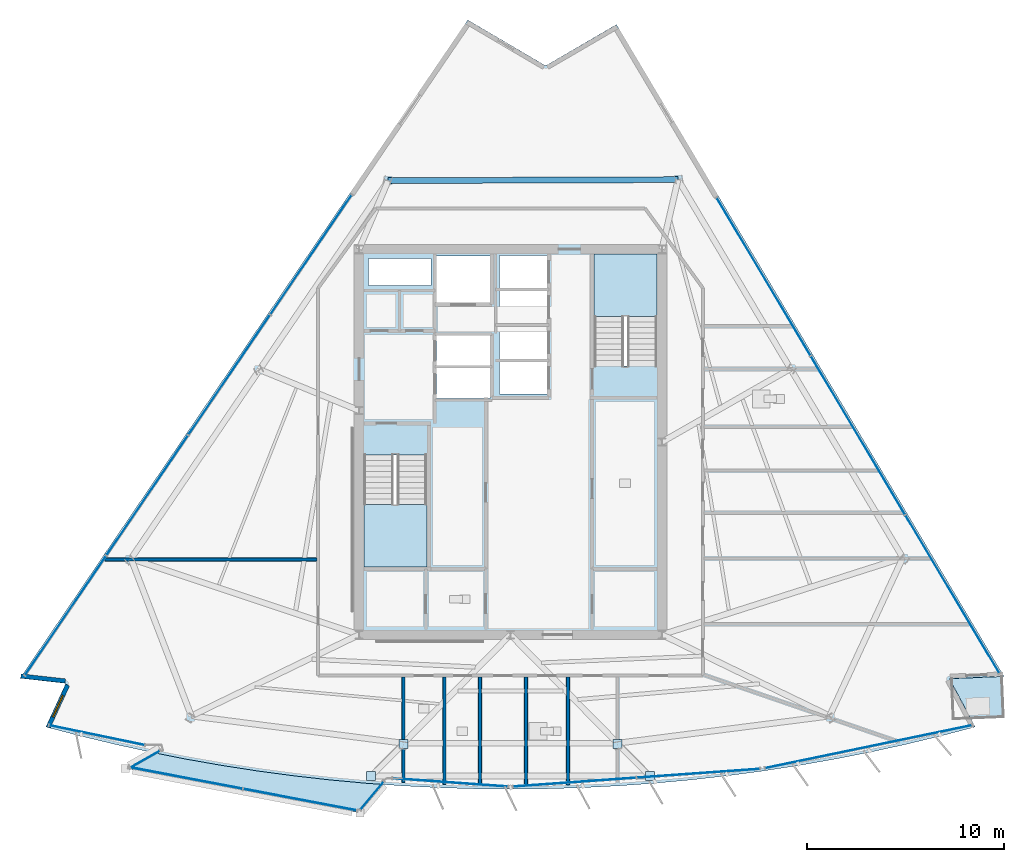
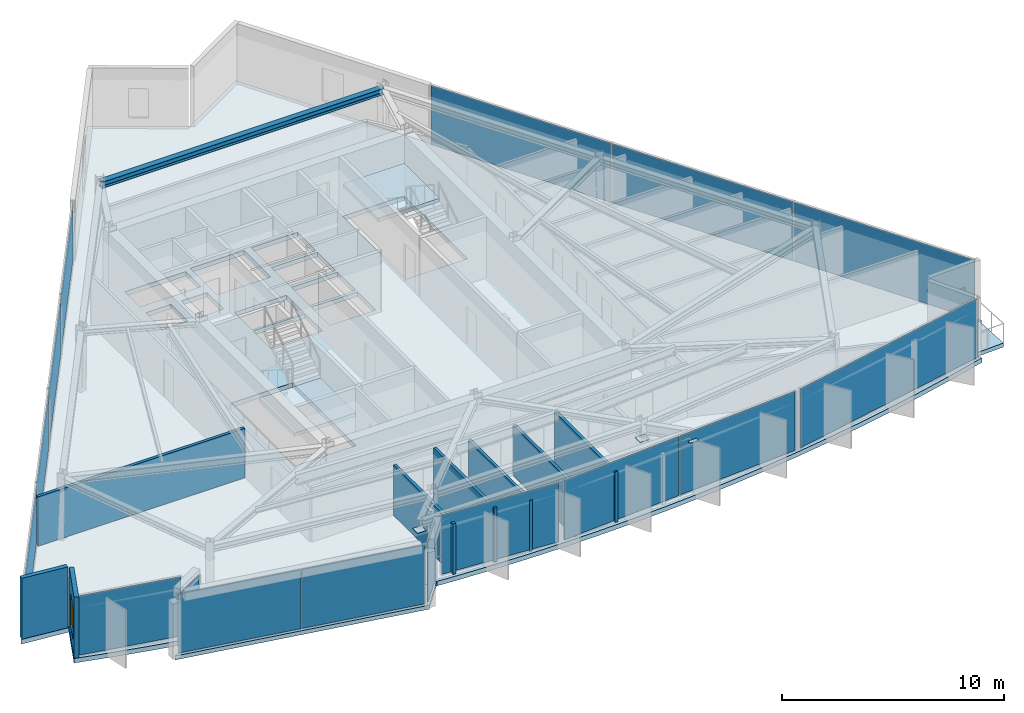
# One storey, part 6 of 14: 20 plates, 8 walls, 5 slabs, 1 beam, 1 window, 1 opening, 11 elements without a shape of their own.
"""IFC4 building model written with IfcOpenShell, lengths in metres."""

from ifc_helpers import new_model, si_unit, direction, frame, frame_2d, origin, origin_2d, place, context, subcontext, project, spatial, polyline, rectangle, i_section, outline, extrude, material, layer, layer_set, material_profile, profile_set, type_object, element, fill, aggregate, save


model = new_model("IFC4")

# Units and contexts
model_context = context("Model", 3, precision=1e-05, world=origin(), true_north=direction((0.0, 1.0)))
body_context = subcontext(model_context, "Body", "Model", "MODEL_VIEW")
ifc_project = project(units=[si_unit("LENGTHUNIT", "METRE"), si_unit("AREAUNIT", "SQUARE_METRE"), si_unit("VOLUMEUNIT", "CUBIC_METRE"), si_unit("PLANEANGLEUNIT", "RADIAN"), si_unit("MASSUNIT", "GRAM", prefix="KILO")], contexts=[model_context])

# Site, building, storey
site_placement = place(None, origin())
site = spatial("IfcSite", under=ifc_project, at=site_placement, CompositionType="ELEMENT")
building_placement = place(site_placement, origin())
building = spatial("IfcBuilding", under=site, at=building_placement, Name="Savorim Split Tower", CompositionType="ELEMENT")
storey_placement = place(building_placement, frame((0.0, 0.0, 230.699951171875)))
storey = spatial("IfcBuildingStorey", under=building, at=storey_placement, Name="L61", CompositionType="ELEMENT", Elevation=230.699951171875)

# Beam
ifc_material_1 = material(Name="Steel S355", Category="steel")
ifc_material_profile = material_profile(ifc_material_1, i_section(OverallWidth=0.300048828125, OverallDepth=0.35009765625, WebThickness=0.010009765625, FlangeThickness=0.017578125, FilletRadius=0.027099609375, at=origin_2d()), Name="HEA 360")
ifc_profile_set = profile_set([ifc_material_profile], Name="Steel S355")
beam_type = type_object("IfcBeamType", Name="BM-SPN-HEA360", PredefinedType="SPANDREL", material=ifc_profile_set)
beam_placement = place(storey_placement, frame((8.519287109375, 13.73779296875, 3.175048828125), z_axis=(-0.999994510925, -0.003313324644, 0.0), x_axis=(0.003313324644, -0.999994510925, 0.0)))
element("IfcBeam", 1, at=beam_placement, inside=storey, type_object=beam_type, Name="L61 Perimeter Spandrel Beam 7", PredefinedType="SPANDREL", context=body_context, shape_type="SweptSolid", body=[
    extrude(i_section(OverallWidth=0.300048828125, OverallDepth=0.35009765625, WebThickness=0.010009765625, FlangeThickness=0.017578125, FilletRadius=0.027099609375, at=origin_2d()), origin(), (0.0, 0.0, 1.0), 14.73681640625),
])

# Curtain wall, plate
ifc_material_2 = material(Name="Dark Ceramic-Fritted Insulated Glass", Category="glass")
curtain_wall_type_1 = type_object("IfcCurtainWallType", Name="CW-TWR-FRIT-B", PredefinedType="NOTDEFINED", material=ifc_material_2)
curtain_wall_1_placement = place(storey_placement, origin())
curtain_wall_1 = element("IfcCurtainWall", 2, at=curtain_wall_1_placement, inside=storey, type_object=curtain_wall_type_1, Name="L61 Curtain Wall CW-L61-SF1A", PredefinedType="NOTDEFINED")
ifc_layer_1 = layer(ifc_material_2, 0.02587890625)
ifc_layer_set_1 = layer_set([ifc_layer_1], Name="CWP-FRITB-26")
plate_type_1 = type_object("IfcPlateType", Name="CWP-FRITB-26", PredefinedType="CURTAIN_PANEL", material=ifc_layer_set_1)
plate_1_placement = place(storey_placement, frame((-21.02978515625, -14.508056640625, 0.050048828125), z_axis=(0.0, 0.0, 1.0), x_axis=(0.979134728016, -0.203212165958, 0.0)))
plate_1 = element("IfcPlate", 3, at=plate_1_placement, type_object=plate_type_1, Name="CW-03 panel 1.1", PredefinedType="CURTAIN_PANEL", context=body_context, shape_type="SweptSolid", body=[
    extrude(rectangle(XDim=4.938720703125, YDim=0.02587890625, at=origin_2d()), origin(), (0.0, 0.0, 1.0), 3.25),
])
aggregate(curtain_wall_1, [plate_1])

curtain_wall_2_placement = place(storey_placement, origin())
curtain_wall_2 = element("IfcCurtainWall", 4, at=curtain_wall_2_placement, inside=storey, type_object=curtain_wall_type_1, Name="L61 Curtain Wall CW-L61-SF2A", PredefinedType="NOTDEFINED")
plate_2_placement = place(storey_placement, frame((-3.0654296875, -16.91259765625, 0.050048828125), z_axis=(0.0, 0.0, 1.0), x_axis=(0.997435751346, -0.071567603964, 0.0)))
plate_2 = element("IfcPlate", 5, at=plate_2_placement, type_object=plate_type_1, Name="CW-03 panel 1.1", PredefinedType="CURTAIN_PANEL", context=body_context, shape_type="SweptSolid", body=[
    extrude(rectangle(XDim=5.843505859375, YDim=0.02587890625, at=origin_2d()), origin(), (0.0, 0.0, 1.0), 3.25),
])
aggregate(curtain_wall_2, [plate_2])

# Curtain wall, plates
curtain_wall_3_placement = place(storey_placement, origin())
curtain_wall_3 = element("IfcCurtainWall", 6, at=curtain_wall_3_placement, inside=storey, type_object=curtain_wall_type_1, Name="L61 Curtain Wall CW-L61-SF3A", PredefinedType="NOTDEFINED")
plate_3_placement = place(storey_placement, frame((3.263916015625, -16.8984375, 0.050048828125), z_axis=(0.0, 0.0, 1.0), x_axis=(0.997436283282, 0.071560189997, 0.0)))
plate_3 = element("IfcPlate", 7, at=plate_3_placement, type_object=plate_type_1, Name="CW-03 panel 1.1", PredefinedType="CURTAIN_PANEL", context=body_context, shape_type="SweptSolid", body=[
    extrude(rectangle(XDim=6.24169921875, YDim=0.02587890625, at=origin_2d()), origin(), (0.0, 0.0, 1.0), 3.25),
])
plate_4_placement = place(storey_placement, frame((9.549560546875, -16.447509765625, 0.050048828125), z_axis=(0.0, 0.0, 1.0), x_axis=(0.997436283282, 0.071560189997, 0.0)))
plate_4 = element("IfcPlate", 8, at=plate_4_placement, type_object=plate_type_1, Name="CW-03 panel 2.1", PredefinedType="CURTAIN_PANEL", context=body_context, shape_type="SweptSolid", body=[
    extrude(rectangle(XDim=6.24169921875, YDim=0.02587890625, at=origin_2d()), origin(), (0.0, 0.0, 1.0), 3.25),
])
aggregate(curtain_wall_3, [plate_3, plate_4])

# Curtain wall, plate
curtain_wall_4_placement = place(storey_placement, origin())
curtain_wall_4 = element("IfcCurtainWall", 9, at=curtain_wall_4_placement, inside=storey, type_object=curtain_wall_type_1, Name="L61 Curtain Wall CW-L61-SF4A", PredefinedType="NOTDEFINED")
plate_5_placement = place(storey_placement, frame((18.205322265625, -15.09423828125, 0.050048828125), z_axis=(0.0, 0.0, 1.0), x_axis=(0.979134184169, 0.203214786352, 0.0)))
plate_5 = element("IfcPlate", 10, at=plate_5_placement, type_object=plate_type_1, Name="CW-03 panel 1.1", PredefinedType="CURTAIN_PANEL", context=body_context, shape_type="SweptSolid", body=[
    extrude(rectangle(XDim=10.70849609375, YDim=0.02587890625, at=origin_2d()), origin(), (0.0, 0.0, 1.0), 3.25),
])
aggregate(curtain_wall_4, [plate_5])

# Curtain wall, plates
curtain_wall_5_placement = place(storey_placement, origin())
curtain_wall_5 = element("IfcCurtainWall", 11, at=curtain_wall_5_placement, inside=storey, type_object=curtain_wall_type_1, Name="L61 Curtain Wall CW-L61-EAST", PredefinedType="NOTDEFINED")
plate_6_placement = place(storey_placement, frame((22.467041015625, -7.335205078125, 0.050048828125), z_axis=(0.0, 0.0, 1.0), x_axis=(-0.51109620442, 0.859523513249, 0.0)))
plate_6 = element("IfcPlate", 12, at=plate_6_placement, type_object=plate_type_1, Name="CW-03 panel 1.1", PredefinedType="CURTAIN_PANEL", context=body_context, shape_type="SweptSolid", body=[
    extrude(rectangle(XDim=9.3125, YDim=0.02587890625, at=origin_2d()), origin(), (0.0, 0.0, 1.0), 3.25),
])
plate_7_placement = place(storey_placement, frame((17.669189453125, 0.733642578125, 0.050048828125), z_axis=(0.0, 0.0, 1.0), x_axis=(-0.51109620442, 0.859523513249, 0.0)))
plate_7 = element("IfcPlate", 13, at=plate_7_placement, type_object=plate_type_1, Name="CW-03 panel 2.1", PredefinedType="CURTAIN_PANEL", context=body_context, shape_type="SweptSolid", body=[
    extrude(rectangle(XDim=9.342529296875, YDim=0.02587890625, at=origin_2d()), origin(), (0.0, 0.0, 1.0), 3.25),
])
plate_8_placement = place(storey_placement, frame((12.871337890625, 8.802490234375, 0.050048828125), z_axis=(0.0, 0.0, 1.0), x_axis=(-0.51109620442, 0.859523513249, 0.0)))
plate_8 = element("IfcPlate", 14, at=plate_8_placement, type_object=plate_type_1, Name="CW-03 panel 3.1", PredefinedType="CURTAIN_PANEL", context=body_context, shape_type="SweptSolid", body=[
    extrude(rectangle(XDim=9.3125, YDim=0.02587890625, at=origin_2d()), origin(), (0.0, 0.0, 1.0), 3.25),
])
aggregate(curtain_wall_5, [plate_6, plate_7, plate_8])

curtain_wall_6_placement = place(storey_placement, origin())
curtain_wall_6 = element("IfcCurtainWall", 15, at=curtain_wall_6_placement, inside=storey, type_object=curtain_wall_type_1, Name="L61 Curtain Wall CW-L61-WEST", PredefinedType="NOTDEFINED")
plate_9_placement = place(storey_placement, frame((-10.14208984375, 9.923583984375, 0.050048828125), z_axis=(0.0, 0.0, 1.0), x_axis=(-0.562466573779, -0.826820024782, 0.0)))
plate_9 = element("IfcPlate", 16, at=plate_9_placement, type_object=plate_type_1, Name="CW-03 panel 1.1", PredefinedType="CURTAIN_PANEL", context=body_context, shape_type="SweptSolid", body=[
    extrude(rectangle(XDim=7.317626953125, YDim=0.02587890625, at=origin_2d()), origin(), (0.0, 0.0, 1.0), 3.25),
])
plate_10_placement = place(storey_placement, frame((-14.300048828125, 3.811279296875, 0.050048828125), z_axis=(0.0, 0.0, 1.0), x_axis=(-0.562466573779, -0.826820024782, 0.0)))
plate_10 = element("IfcPlate", 17, at=plate_10_placement, type_object=plate_type_1, Name="CW-03 panel 2.1", PredefinedType="CURTAIN_PANEL", context=body_context, shape_type="SweptSolid", body=[
    extrude(rectangle(XDim=7.347412109375, YDim=0.02587890625, at=origin_2d()), origin(), (0.0, 0.0, 1.0), 3.25),
])
plate_11_placement = place(storey_placement, frame((-18.466552734375, -2.313232421875, 0.050048828125), z_axis=(0.0, 0.0, 1.0), x_axis=(-0.562466573779, -0.826820024782, 0.0)))
plate_11 = element("IfcPlate", 18, at=plate_11_placement, type_object=plate_type_1, Name="CW-03 panel 3.1", PredefinedType="CURTAIN_PANEL", context=body_context, shape_type="SweptSolid", body=[
    extrude(rectangle(XDim=7.347412109375, YDim=0.02587890625, at=origin_2d()), origin(), (0.0, 0.0, 1.0), 3.25),
])
plate_12_placement = place(storey_placement, frame((-22.62451171875, -8.425537109375, 0.050048828125), z_axis=(0.0, 0.0, 1.0), x_axis=(-0.562466573779, -0.826820024782, 0.0)))
plate_12 = element("IfcPlate", 19, at=plate_12_placement, type_object=plate_type_1, Name="CW-03 panel 4.1", PredefinedType="CURTAIN_PANEL", context=body_context, shape_type="SweptSolid", body=[
    extrude(rectangle(XDim=7.317626953125, YDim=0.02587890625, at=origin_2d()), origin(), (0.0, 0.0, 1.0), 3.25),
])
aggregate(curtain_wall_6, [plate_9, plate_10, plate_11, plate_12])

curtain_wall_type_2 = type_object("IfcCurtainWallType", Name="CW-BAY-LOUNGE", PredefinedType="NOTDEFINED", material=ifc_material_2)
curtain_wall_7_placement = place(storey_placement, origin())
curtain_wall_7 = element("IfcCurtainWall", 20, at=curtain_wall_7_placement, inside=storey, type_object=curtain_wall_type_2, Name="L61 Curtain Wall CW-L61-BAYF", PredefinedType="NOTDEFINED")
ifc_material_3 = material(Name="Low-E Operable Double Glazing", Category="glass")
ifc_layer_2 = layer(ifc_material_3, 0.031982421875)
ifc_layer_set_2 = layer_set([ifc_layer_2], Name="CWP-POD-32")
plate_type_2 = type_object("IfcPlateType", Name="CWP-POD-32", PredefinedType="CURTAIN_PANEL", material=ifc_layer_set_2)
plate_13_placement = place(storey_placement, frame((-16.515625, -16.68310546875, 0.05517578125), z_axis=(0.0, 0.0, 1.0), x_axis=(0.982442225458, -0.186567075437, 0.0)))
plate_13 = element("IfcPlate", 21, at=plate_13_placement, type_object=plate_type_2, Name="CW-04 panel 1.1", PredefinedType="CURTAIN_PANEL", context=body_context, shape_type="SweptSolid", body=[
    extrude(rectangle(XDim=5.859375, YDim=0.031982421875, at=origin_2d()), origin(), (0.0, 0.0, 1.0), 3.239990234375),
])
plate_14_placement = place(storey_placement, frame((-10.6953125, -17.788330078125, 0.05517578125), z_axis=(0.0, 0.0, 1.0), x_axis=(0.982442225458, -0.186567075437, 0.0)))
plate_14 = element("IfcPlate", 22, at=plate_14_placement, type_object=plate_type_2, Name="CW-04 panel 2.1", PredefinedType="CURTAIN_PANEL", context=body_context, shape_type="SweptSolid", body=[
    extrude(rectangle(XDim=5.859375, YDim=0.031982421875, at=origin_2d()), origin(), (0.0, 0.0, 1.0), 3.239990234375),
])
aggregate(curtain_wall_7, [plate_13, plate_14])

# Curtain wall, plate
curtain_wall_8_placement = place(storey_placement, origin())
curtain_wall_8 = element("IfcCurtainWall", 23, at=curtain_wall_8_placement, inside=storey, type_object=curtain_wall_type_2, Name="L61 Curtain Wall CW-L61-BAYW", PredefinedType="NOTDEFINED")
plate_15_placement = place(storey_placement, frame((-18.570068359375, -15.72998046875, 0.05517578125), z_axis=(0.0, 0.0, 1.0), x_axis=(-0.868135811554, -0.49632671971, 0.0)))
plate_15 = element("IfcPlate", 24, at=plate_15_placement, type_object=plate_type_2, Name="CW-04 panel 1.1", PredefinedType="CURTAIN_PANEL", context=body_context, shape_type="SweptSolid", body=[
    extrude(rectangle(XDim=1.705078125, YDim=0.031982421875, at=origin_2d()), origin(), (0.0, 0.0, 1.0), 3.239990234375),
])
aggregate(curtain_wall_8, [plate_15])

curtain_wall_9_placement = place(storey_placement, origin())
curtain_wall_9 = element("IfcCurtainWall", 25, at=curtain_wall_9_placement, inside=storey, type_object=curtain_wall_type_2, Name="L61 Curtain Wall CW-L61-BAYE", PredefinedType="NOTDEFINED")
plate_16_placement = place(storey_placement, frame((-7.040283203125, -17.58544921875, 0.05517578125), z_axis=(0.0, 0.0, 1.0), x_axis=(0.645008298218, 0.764175565711, 0.0)))
plate_16 = element("IfcPlate", 26, at=plate_16_placement, type_object=plate_type_2, Name="CW-04 panel 1.1", PredefinedType="CURTAIN_PANEL", context=body_context, shape_type="SweptSolid", body=[
    extrude(rectangle(XDim=1.81005859375, YDim=0.031982421875, at=origin_2d()), origin(), (0.0, 0.0, 1.0), 3.239990234375),
])
aggregate(curtain_wall_9, [plate_16])

# Plates
ifc_material_4 = material(Name="Steel S460", Category="steel")
ifc_layer_3 = layer(ifc_material_4, 0.02490234375)
ifc_layer_set_3 = layer_set([ifc_layer_3], Name="PLT-NODE-CN1")
plate_type_3 = type_object("IfcPlateType", Name="PLT-NODE-CN1", PredefinedType="SHEET", material=ifc_layer_set_3)
for number, where, z_axis, x_axis, name in (
    (27, (-5.446044921875, -14.958984375, 2.4375), (0.0, 0.0, 1.0), (1.0, 0.0, 0.0), "L61 Bay Strut Column Gusset Plate 1"),
    (28, (-7.087646484375, -16.59228515625, 2.8076171875), (0.0, 0.0, 1.0), (1.0, 0.0, 0.0), "L61 Bay Strut Tip Gusset Plate 1"),
    (29, (5.446044921875, -14.958984375, 2.4375), (0.0, 0.0, 1.0), (1.0, 0.0, 0.0), "L61 Bay Strut Column Gusset Plate 2"),
    (30, (7.087646484375, -16.59228515625, 2.8076171875), (0.0, 0.0, 1.0), (1.0, 0.0, 0.0), "L61 Bay Strut Tip Gusset Plate 2"),
):
    element("IfcPlate", number, at=place(storey_placement, frame(where, z_axis=z_axis, x_axis=x_axis)), inside=storey, type_object=plate_type_3, Name=name, PredefinedType="SHEET", context=body_context, shape_type="SweptSolid", body=[
        extrude(rectangle(XDim=0.4599609375, YDim=0.4599609375, at=origin_2d()), origin(), (0.0, 0.0, 1.0), 0.02490234375),
    ])

# Slabs
ifc_material_5 = material(Name="Concrete C50/60", Category="concrete")
ifc_layer_4 = layer(ifc_material_5, 0.219970703125)
ifc_layer_set_4 = layer_set([ifc_layer_4], Name="SLB-BAL-220")
slab_type_1 = type_object("IfcSlabType", Name="SLB-BAL-220", PredefinedType="FLOOR", material=ifc_layer_set_4)
slab_1_placement = place(storey_placement, frame((0.0, 0.0, -0.219970703125)))
element("IfcSlab", 31, at=slab_1_placement, inside=storey, type_object=slab_type_1, Name="L61 Cantilevered Shared Kitchen Lounge Slab", PredefinedType="FLOOR", context=body_context, shape_type="SweptSolid", body=[
    extrude(outline(polyline([(-6.430419921875, -17.017822265625), (-7.3486328125, -16.951904296875), (-9.179931640625, -16.78271484375), (-11.007568359375, -16.576171875), (-12.83056640625, -16.332275390625), (-14.648193359375, -16.051025390625), (-16.45947265625, -15.73291015625), (-18.18310546875, -15.393310546875), (-19.59423828125, -16.2001953125), (-7.654052734375, -18.467529296875), (-6.430419921875, -17.017822265625)])), origin(), (0.0, 0.0, 1.0), 0.219970703125),
])
slab_2_placement = place(storey_placement, frame((0.0, 0.0, -0.219970703125)))
element("IfcSlab", 32, at=slab_2_placement, inside=storey, type_object=slab_type_1, Name="L61 Notched Corner Planted Tree Balcony Slab", PredefinedType="FLOOR", context=body_context, shape_type="SweptSolid", body=[
    extrude(outline(polyline([(24.973388671875, -11.52685546875), (22.430908203125, -11.635009765625), (22.44091796875, -11.86669921875), (23.392822265625, -13.640869140625), (25.060546875, -13.56982421875), (24.973388671875, -11.52685546875)])), origin(), (0.0, 0.0, 1.0), 0.219970703125),
])

# Stair, slab
stair_type = type_object("IfcStairType", Name="STR-DOG-3600", PredefinedType="HALF_TURN_STAIR", material=ifc_material_5)
stair_1_placement = place(storey_placement, origin())
stair_1 = element("IfcStair", 33, at=stair_1_placement, inside=storey, type_object=stair_type, Name="L61 Core Protected Exit Stair ST-1", PredefinedType="HALF_TURN_STAIR")
ifc_layer_5 = layer(ifc_material_5, 0.199951171875)
ifc_layer_set_5 = layer_set([ifc_layer_5], Name="SLB-LND-200")
slab_type_2 = type_object("IfcSlabType", Name="SLB-LND-200", PredefinedType="LANDING", material=ifc_layer_set_5)
slab_3_placement = place(storey_placement, frame((0.0, 0.0, 1.60009765625)))
slab_3 = element("IfcSlab", 34, at=slab_3_placement, type_object=slab_type_2, Name="ST-1 landing 1", PredefinedType="LANDING", context=body_context, shape_type="SweptSolid", body=[
    extrude(outline(polyline([(-7.449951171875, -2.77001953125), (-7.449951171875, -5.949951171875), (-4.25, -5.949951171875), (-4.25, -2.77001953125), (-7.449951171875, -2.77001953125)])), origin(), (0.0, 0.0, 1.0), 0.199951171875),
])
aggregate(stair_1, [slab_3])

stair_2_placement = place(storey_placement, origin())
stair_2 = element("IfcStair", 35, at=stair_2_placement, inside=storey, type_object=stair_type, Name="L61 Core Protected Exit Stair ST-2", PredefinedType="HALF_TURN_STAIR")
slab_4_placement = place(storey_placement, frame((0.0, 0.0, 1.60009765625)))
slab_4 = element("IfcSlab", 36, at=slab_4_placement, type_object=slab_type_2, Name="ST-2 landing 1", PredefinedType="LANDING", context=body_context, shape_type="SweptSolid", body=[
    extrude(outline(polyline([(7.449951171875, 6.77001953125), (7.449951171875, 9.949951171875), (4.25, 9.949951171875), (4.25, 6.77001953125), (7.449951171875, 6.77001953125)])), origin(), (0.0, 0.0, 1.0), 0.199951171875),
])
aggregate(stair_2, [slab_4])

# Slab
ifc_layer_6 = layer(ifc_material_5, 0.25)
ifc_layer_set_6 = layer_set([ifc_layer_6], Name="SLB-TWR-250")
slab_type_3 = type_object("IfcSlabType", Name="SLB-TWR-250", PredefinedType="FLOOR", material=ifc_layer_set_6)
slab_5_placement = place(storey_placement, frame((0.0, 0.0, -0.25)))
element("IfcSlab", 37, at=slab_5_placement, inside=storey, type_object=slab_type_3, Name="L61 Structural Floor Slab", PredefinedType="FLOOR", context=body_context, shape_type="SweptSolid", body=[
    extrude(outline(polyline([(-23.62890625, -14.09130859375), (-21.849609375, -14.556396484375), (-20.06103515625, -14.9853515625), (-18.26416015625, -15.37744140625), (-16.45947265625, -15.73291015625), (-14.648193359375, -16.051025390625), (-12.83056640625, -16.332275390625), (-11.007568359375, -16.576171875), (-9.179931640625, -16.78271484375), (-7.3486328125, -16.951904296875), (-5.51416015625, -17.08349609375), (-3.677490234375, -17.177490234375), (-1.839111328125, -17.23388671875), (0.0, -17.252685546875), (1.839111328125, -17.23388671875), (3.677490234375, -17.177490234375), (5.51416015625, -17.08349609375), (7.3486328125, -16.951904296875), (9.179931640625, -16.78271484375), (11.007568359375, -16.576171875), (12.83056640625, -16.332275390625), (14.648193359375, -16.051025390625), (16.45947265625, -15.73291015625), (18.26416015625, -15.37744140625), (20.06103515625, -14.9853515625), (21.849609375, -14.556396484375), (23.62890625, -14.09130859375), (22.310791015625, -11.635009765625), (25.09326171875, -11.5166015625), (5.38623046875, 21.625244140625), (1.788818359375, 19.528564453125), (-2.17041015625, 21.85546875), (-24.939208984375, -11.61474609375), (-22.6103515625, -11.874755859375), (-23.62890625, -14.09130859375)]), holes=[polyline([(-7.449951171875, -0.25390625), (-7.449951171875, -5.949951171875), (-4.25, -5.949951171875), (-4.25, -0.25390625), (-7.449951171875, -0.25390625)]), polyline([(7.449951171875, 4.25390625), (7.449951171875, 9.949951171875), (4.25, 9.949951171875), (4.25, 4.25390625), (7.449951171875, 4.25390625)]), polyline([(-0.550048828125, 2.830078125), (1.85009765625, 2.830078125), (1.85009765625, 4.469970703125), (-0.550048828125, 4.469970703125), (-0.550048828125, 2.830078125)]), polyline([(-0.550048828125, 4.6298828125), (1.85009765625, 4.6298828125), (1.85009765625, 6.27001953125), (-0.550048828125, 6.27001953125), (-0.550048828125, 4.6298828125)]), polyline([(-0.550048828125, 6.429931640625), (1.85009765625, 6.429931640625), (1.85009765625, 8.070068359375), (-0.550048828125, 8.070068359375), (-0.550048828125, 6.429931640625)]), polyline([(-0.550048828125, 8.22998046875), (1.85009765625, 8.22998046875), (1.85009765625, 9.8701171875), (-0.550048828125, 9.8701171875), (-0.550048828125, 8.22998046875)]), polyline([(-3.75, 2.60009765625), (-1.050048828125, 2.60009765625), (-1.050048828125, 4.159912109375), (-3.75, 4.159912109375), (-3.75, 2.60009765625)]), polyline([(-3.75, 4.280029296875), (-1.050048828125, 4.280029296875), (-1.050048828125, 5.840087890625), (-3.75, 5.840087890625), (-3.75, 4.280029296875)]), polyline([(-3.75, 7.449951171875), (-0.949951171875, 7.449951171875), (-0.949951171875, 9.85009765625), (-3.75, 9.85009765625), (-3.75, 7.449951171875)]), polyline([(-7.219970703125, 6.320068359375), (-5.919921875, 6.320068359375), (-5.919921875, 7.820068359375), (-7.219970703125, 7.820068359375), (-7.219970703125, 6.320068359375)]), polyline([(-5.3798828125, 6.320068359375), (-4.050048828125, 6.320068359375), (-4.050048828125, 7.820068359375), (-5.3798828125, 7.820068359375), (-5.3798828125, 6.320068359375)]), polyline([(-7.219970703125, 8.360107421875), (-4.050048828125, 8.360107421875), (-4.050048828125, 9.719970703125), (-7.219970703125, 9.719970703125), (-7.219970703125, 8.360107421875)])]), origin(), (0.0, 0.0, 1.0), 0.25),
])

# Wall
ifc_material_6 = material(Name="Precast concrete C40/50", Category="concrete")
ifc_layer_7 = layer(ifc_material_6, 0.219970703125)
ifc_layer_set_7 = layer_set([ifc_layer_7], Name="WAL-EXT-CRN220")
wall_type_1 = type_object("IfcWallType", Name="WAL-EXT-CRN220", PredefinedType="SOLIDWALL", material=ifc_layer_set_7)
wall_1_placement = place(storey_placement, frame((-22.63671875, -11.751220703125, 0.0), z_axis=(0.0, 0.0, 1.0), x_axis=(-0.993821756753, 0.110987908368, 0.0)))
element("IfcWall", 38, at=wall_1_placement, inside=storey, type_object=wall_type_1, Name="L61 Notched Corner Facade Wall SW1", PredefinedType="SOLIDWALL", context=body_context, shape_type="SweptSolid", body=[
    extrude(rectangle(XDim=2.263427734375, YDim=0.219970703125, at=frame_2d((1.1318359375, 0.0))), origin(), (0.0, 0.0, 1.0), 3.35009765625),
])

# Wall, opening, window
wall_2_placement = place(storey_placement, frame((-23.503173828125, -14.10498046875, 0.0), z_axis=(0.0, 0.0, 1.0), x_axis=(0.417541737863, 0.908657744777, 0.0)))
wall_2 = element("IfcWall", 39, at=wall_2_placement, inside=storey, type_object=wall_type_1, Name="L61 Notched Corner Facade Wall SW", PredefinedType="SOLIDWALL", context=body_context, shape_type="SweptSolid", body=[
    extrude(rectangle(XDim=2.359375, YDim=0.219970703125, at=frame_2d((1.1796875, 0.0))), origin(), (0.0, 0.0, 1.0), 3.35009765625),
])
opening_placement = place(wall_2_placement, frame((0.57958984375, 0.0, 0.6201171875)))
opening = element("IfcOpeningElement", 40, at=opening_placement, cuts=wall_2, Name="Opening WN-08", PredefinedType="OPENING", context=body_context, shape_type="SweptSolid", body=[
    extrude(rectangle(XDim=1.199951171875, YDim=1.800048828125, at=frame_2d((0.60009765625, 0.89990234375))), frame((0.0, 0.119873046875, 0.0), z_axis=(0.0, -1.0, 0.0), x_axis=(1.0, 0.0, 0.0)), (0.0, 0.0, 1.0), 0.239990234375),
])
window_type = type_object("IfcWindowType", Name="WIN-TWR-1200x1800", PartitioningType="SINGLE_PANEL", PredefinedType="WINDOW", material=ifc_material_3)
window_placement = place(opening_placement, origin())
window = element("IfcWindow", 41, at=window_placement, inside=storey, type_object=window_type, Name="L61 Operable Corner Window SW", OverallHeight=1.800048828125, OverallWidth=1.199951171875, PartitioningType="SINGLE_PANEL", PredefinedType="WINDOW", context=body_context, shape_type="SweptSolid", body=[
    extrude(rectangle(XDim=1.199951171875, YDim=1.800048828125, at=frame_2d((0.60009765625, 0.89990234375))), frame((0.0, 0.030029296875, 0.0), z_axis=(0.0, -1.0, 0.0), x_axis=(1.0, 0.0, 0.0)), (0.0, 0.0, 1.0), 0.06005859375),
])
fill(opening, window)

# Walls
ifc_material_7 = material(Name="Acoustic Gypsum Partition Board")
ifc_layer_8 = layer(ifc_material_7, 0.14990234375)
ifc_layer_set_8 = layer_set([ifc_layer_8], Name="WAL-PAR-150")
wall_type_2 = type_object("IfcWallType", Name="WAL-PAR-150", PredefinedType="PARTITIONING", material=ifc_layer_set_8)
wall_3_placement = place(storey_placement, frame((-5.450439453125, -11.5400390625, 0.0), z_axis=(0.0, 0.0, 1.0), x_axis=(0.0, -1.0, 0.0)))
element("IfcWall", 42, at=wall_3_placement, inside=storey, type_object=wall_type_2, Name="L61 Partition W-L61-PRAD02", PredefinedType="PARTITIONING", context=body_context, shape_type="SweptSolid", body=[
    extrude(rectangle(XDim=5.37646484375, YDim=0.14990234375, at=frame_2d((2.688232421875, 0.0))), origin(), (0.0, 0.0, 1.0), 2.775146484375),
])
wall_4_placement = place(storey_placement, frame((-9.840087890625, -5.57373046875, 0.0), z_axis=(0.0, 0.0, 1.0), x_axis=(-1.0, 0.0, 0.0)))
element("IfcWall", 43, at=wall_4_placement, inside=storey, type_object=wall_type_2, Name="L61 Partition W-L61-PRAD10", PredefinedType="PARTITIONING", context=body_context, shape_type="SweptSolid", body=[
    extrude(rectangle(XDim=10.783935546875, YDim=0.14990234375, at=frame_2d((5.39208984375, 0.0))), origin(), (0.0, 0.0, 1.0), 2.72509765625),
])
wall_5_placement = place(storey_placement, frame((0.784912109375, -11.5400390625, 0.0), z_axis=(0.0, 0.0, 1.0), x_axis=(0.0, -1.0, 0.0)))
element("IfcWall", 44, at=wall_5_placement, inside=storey, type_object=wall_type_2, Name="L61 Partition W-L61-SUB01", PredefinedType="PARTITIONING", context=body_context, shape_type="SweptSolid", body=[
    extrude(rectangle(XDim=5.53466796875, YDim=0.14990234375, at=frame_2d((2.767333984375, 0.0))), origin(), (0.0, 0.0, 1.0), 2.775146484375),
])
wall_6_placement = place(storey_placement, frame((-1.547607421875, -11.5400390625, 0.0), z_axis=(0.0, 0.0, 1.0), x_axis=(-4.4173514e-05, -0.999999999024, 0.0)))
element("IfcWall", 45, at=wall_6_placement, inside=storey, type_object=wall_type_2, Name="L61 Partition W-L61-SUB03", PredefinedType="PARTITIONING", context=body_context, shape_type="SweptSolid", body=[
    extrude(rectangle(XDim=5.52685546875, YDim=0.14990234375, at=frame_2d((2.763427734375, 0.0))), origin(), (0.0, 0.0, 1.0), 2.775146484375),
])
wall_7_placement = place(storey_placement, frame((2.9228515625, -11.5400390625, 0.0), z_axis=(0.0, 0.0, 1.0), x_axis=(-4.4466183e-05, -0.999999999011, 0.0)))
element("IfcWall", 46, at=wall_7_placement, inside=storey, type_object=wall_type_2, Name="L61 Partition W-L61-SUB04", PredefinedType="PARTITIONING", context=body_context, shape_type="SweptSolid", body=[
    extrude(rectangle(XDim=5.490478515625, YDim=0.14990234375, at=frame_2d((2.7451171875, 0.0))), origin(), (0.0, 0.0, 1.0), 2.775146484375),
])
wall_8_placement = place(storey_placement, frame((-3.364013671875, -11.5400390625, 0.0), z_axis=(0.0, 0.0, 1.0), x_axis=(0.0, -1.0, 0.0)))
element("IfcWall", 47, at=wall_8_placement, inside=storey, type_object=wall_type_2, Name="L61 Partition W-L61-SUB09", PredefinedType="PARTITIONING", context=body_context, shape_type="SweptSolid", body=[
    extrude(rectangle(XDim=5.47705078125, YDim=0.14990234375, at=frame_2d((2.738525390625, 0.0))), origin(), (0.0, 0.0, 1.0), 2.97509765625),
])

save(model, "model.ifc")
